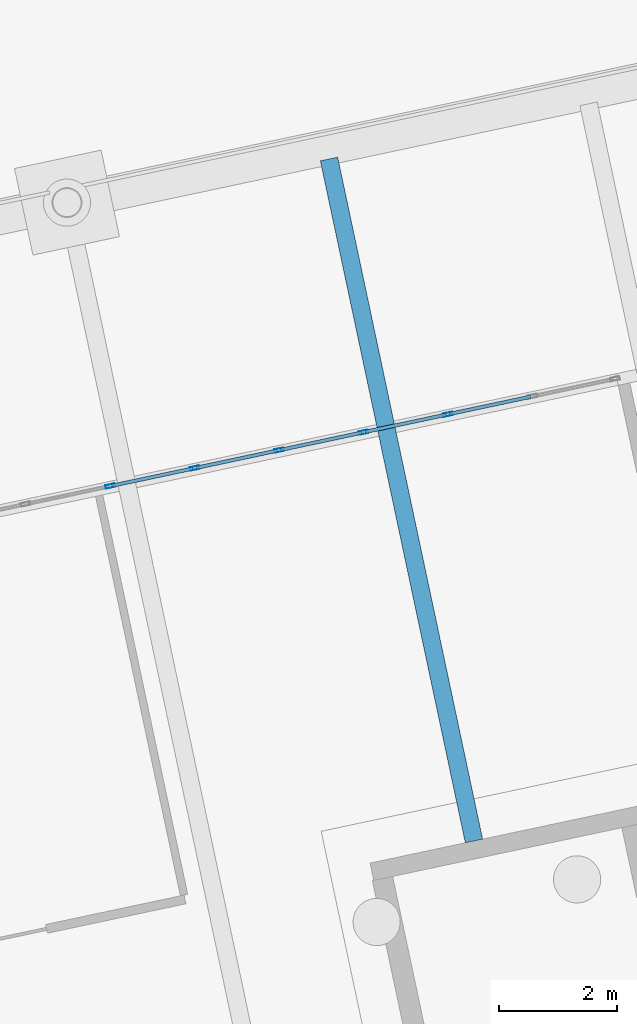
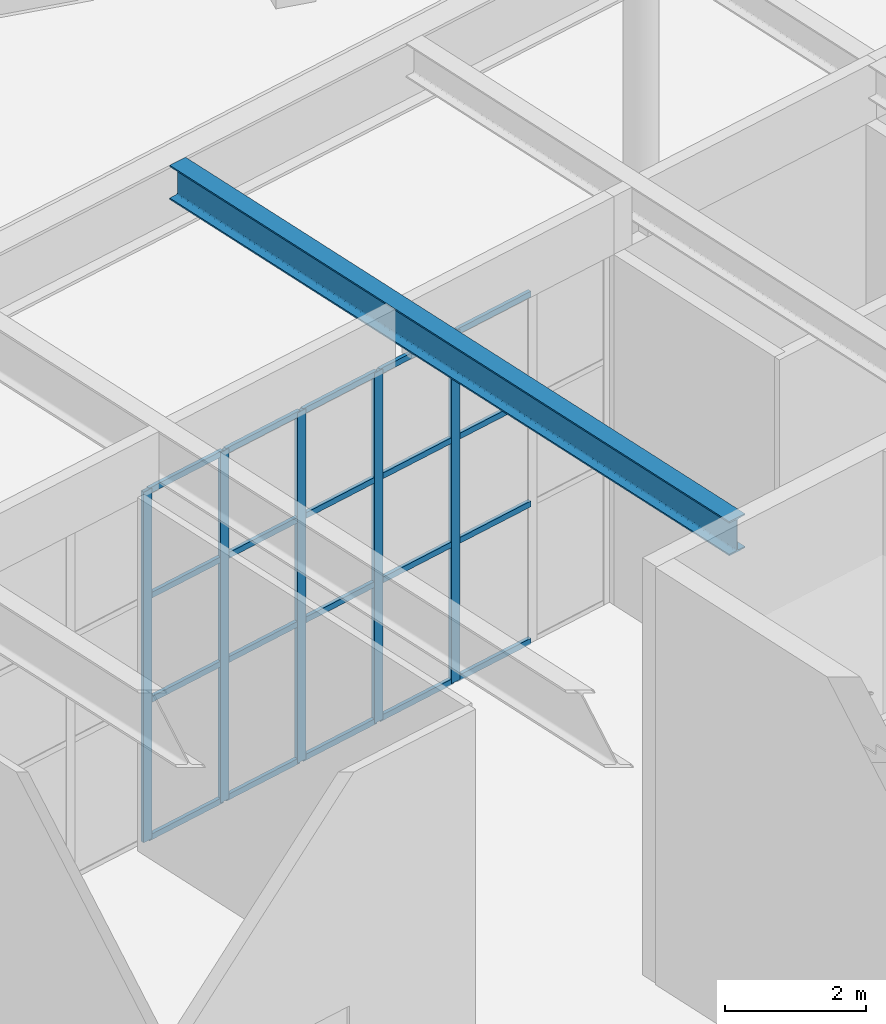
# One storey, part 118 of 239: 25 members, 1 beam, 1 element without a shape of its own.
"""IFC4 building model written with IfcOpenShell, lengths in metres."""

from ifc_helpers import new_model, si_unit, direction, frame, origin, origin_2d, place, context, subcontext, project, spatial, hollow_rectangle, i_section, extrude, material, material_profile, profile_set, type_object, element, aggregate, save


model = new_model("IFC4")

# Units and contexts
model_context = context("Model", 3, precision=1e-05, world=origin(), true_north=direction((0.0, 1.0)))
body_context = subcontext(model_context, "Body", "Model", "MODEL_VIEW")
ifc_project = project(units=[si_unit("LENGTHUNIT", "METRE"), si_unit("AREAUNIT", "SQUARE_METRE"), si_unit("VOLUMEUNIT", "CUBIC_METRE"), si_unit("PLANEANGLEUNIT", "RADIAN"), si_unit("MASSUNIT", "GRAM", prefix="KILO")], contexts=[model_context])

# Site, building, storey
site_placement = place(None, origin())
site = spatial("IfcSite", under=ifc_project, at=site_placement, CompositionType="ELEMENT")
building_placement = place(site_placement, origin())
building = spatial("IfcBuilding", under=site, at=building_placement, Name="Okhra Congress Centre", CompositionType="ELEMENT")
storey_placement = place(building_placement, origin())
storey = spatial("IfcBuildingStorey", under=building, at=storey_placement, Name="L00", CompositionType="ELEMENT", Elevation=0.0)

# Curtain wall, members
ifc_material_1 = material(Name="Aluminium curtain wall, triple glazing", Category="aluminium")
curtain_wall_type = type_object("IfcCurtainWallType", Name="Curtain wall 1500 module", PredefinedType="NOTDEFINED", material=ifc_material_1)
curtain_wall_placement = place(storey_placement, origin())
curtain_wall = element("IfcCurtainWall", 1, at=curtain_wall_placement, inside=storey, type_object=curtain_wall_type, Name="Ground curtain wall N10", PredefinedType="NOTDEFINED")
ifc_material_2 = material(Name="Aluminium alloy EN AW-6063 T66", Category="aluminium")
ifc_material_profile_1 = material_profile(ifc_material_2, hollow_rectangle(XDim=0.06005859375, YDim=0.159912109375, WallThickness=0.00390625, at=origin_2d()), Name="RHS 60x160x4")
ifc_profile_set_1 = profile_set([ifc_material_profile_1], Name="Aluminium alloy EN AW-6063 T66")
member_type_1 = type_object("IfcMemberType", Name="Curtain wall mullion 60x160", PredefinedType="MULLION", material=ifc_profile_set_1)
member_1_placement = place(storey_placement, frame((193.204345703125, 74.48046875, 0.0), z_axis=(0.0, 0.0, 1.0), x_axis=(-0.207911690818, 0.978147600734, 0.0)))
member_1 = element("IfcMember", 2, at=member_1_placement, type_object=member_type_1, Name="CW7 mullion 10", PredefinedType="MULLION", context=body_context, shape_type="SweptSolid", body=[
    extrude(hollow_rectangle(XDim=0.06005859375, YDim=0.159912109375, WallThickness=0.00390625, at=origin_2d()), origin(), (0.0, 0.0, 1.0), 6.050048828125),
])
member_2_placement = place(storey_placement, frame((194.63623046875, 74.784912109375, 0.0), z_axis=(0.0, 0.0, 1.0), x_axis=(-0.207911690818, 0.978147600734, 0.0)))
member_2 = element("IfcMember", 3, at=member_2_placement, type_object=member_type_1, Name="CW7 mullion 11", PredefinedType="MULLION", context=body_context, shape_type="SweptSolid", body=[
    extrude(hollow_rectangle(XDim=0.06005859375, YDim=0.159912109375, WallThickness=0.00390625, at=origin_2d()), origin(), (0.0, 0.0, 1.0), 6.050048828125),
])
member_3_placement = place(storey_placement, frame((196.068359375, 75.08935546875, 0.0), z_axis=(0.0, 0.0, 1.0), x_axis=(-0.207911690818, 0.978147600734, 0.0)))
member_3 = element("IfcMember", 4, at=member_3_placement, type_object=member_type_1, Name="CW7 mullion 12", PredefinedType="MULLION", context=body_context, shape_type="SweptSolid", body=[
    extrude(hollow_rectangle(XDim=0.06005859375, YDim=0.159912109375, WallThickness=0.00390625, at=origin_2d()), origin(), (0.0, 0.0, 1.0), 6.050048828125),
])
member_4_placement = place(storey_placement, frame((197.500244140625, 75.3935546875, 0.0), z_axis=(0.0, 0.0, 1.0), x_axis=(-0.207911690818, 0.978147600734, 0.0)))
member_4 = element("IfcMember", 5, at=member_4_placement, type_object=member_type_1, Name="CW7 mullion 13", PredefinedType="MULLION", context=body_context, shape_type="SweptSolid", body=[
    extrude(hollow_rectangle(XDim=0.06005859375, YDim=0.159912109375, WallThickness=0.00390625, at=origin_2d()), origin(), (0.0, 0.0, 1.0), 6.050048828125),
])
member_5_placement = place(storey_placement, frame((198.932373046875, 75.697998046875, 0.0), z_axis=(0.0, 0.0, 1.0), x_axis=(-0.207911690818, 0.978147600734, 0.0)))
member_5 = element("IfcMember", 6, at=member_5_placement, type_object=member_type_1, Name="CW7 mullion 14", PredefinedType="MULLION", context=body_context, shape_type="SweptSolid", body=[
    extrude(hollow_rectangle(XDim=0.06005859375, YDim=0.159912109375, WallThickness=0.00390625, at=origin_2d()), origin(), (0.0, 0.0, 1.0), 6.050048828125),
])
ifc_material_profile_2 = material_profile(ifc_material_2, hollow_rectangle(XDim=0.06005859375, YDim=0.10009765625, WallThickness=0.00390625, at=origin_2d()), Name="RHS 60x100x4")
ifc_profile_set_2 = profile_set([ifc_material_profile_2], Name="Aluminium alloy EN AW-6063 T66")
member_type_2 = type_object("IfcMemberType", Name="Curtain wall transom 60x100", PredefinedType="USERDEFINED", material=ifc_profile_set_2)
member_6_placement = place(storey_placement, frame((193.233642578125, 74.48681640625, 0.030029296875), z_axis=(0.978169898448, 0.207806760648, 0.0), x_axis=(-0.207806760648, 0.978169898448, 0.0)))
member_6 = element("IfcMember", 7, at=member_6_placement, type_object=member_type_2, Name="CW7 transom 10.1", ObjectType="TRANSOM", PredefinedType="USERDEFINED", context=body_context, shape_type="SweptSolid", body=[
    extrude(hollow_rectangle(XDim=0.06005859375, YDim=0.10009765625, WallThickness=0.00390625, at=origin_2d()), origin(), (0.0, 0.0, 1.0), 1.404052734375),
])
member_7_placement = place(storey_placement, frame((193.233642578125, 74.48681640625, 2.39990234375), z_axis=(0.978169898448, 0.207806760648, 0.0), x_axis=(-0.207806760648, 0.978169898448, 0.0)))
member_7 = element("IfcMember", 8, at=member_7_placement, type_object=member_type_2, Name="CW7 transom 10.2", ObjectType="TRANSOM", PredefinedType="USERDEFINED", context=body_context, shape_type="SweptSolid", body=[
    extrude(hollow_rectangle(XDim=0.06005859375, YDim=0.10009765625, WallThickness=0.00390625, at=origin_2d()), origin(), (0.0, 0.0, 1.0), 1.404052734375),
])
member_8_placement = place(storey_placement, frame((193.233642578125, 74.48681640625, 4.199951171875), z_axis=(0.978169898448, 0.207806760648, 0.0), x_axis=(-0.207806760648, 0.978169898448, 0.0)))
member_8 = element("IfcMember", 9, at=member_8_placement, type_object=member_type_2, Name="CW7 transom 10.3", ObjectType="TRANSOM", PredefinedType="USERDEFINED", context=body_context, shape_type="SweptSolid", body=[
    extrude(hollow_rectangle(XDim=0.06005859375, YDim=0.10009765625, WallThickness=0.00390625, at=origin_2d()), origin(), (0.0, 0.0, 1.0), 1.404052734375),
])
member_9_placement = place(storey_placement, frame((193.233642578125, 74.48681640625, 6.02001953125), z_axis=(0.978169898448, 0.207806760648, 0.0), x_axis=(-0.207806760648, 0.978169898448, 0.0)))
member_9 = element("IfcMember", 10, at=member_9_placement, type_object=member_type_2, Name="CW7 transom 10.4", ObjectType="TRANSOM", PredefinedType="USERDEFINED", context=body_context, shape_type="SweptSolid", body=[
    extrude(hollow_rectangle(XDim=0.06005859375, YDim=0.10009765625, WallThickness=0.00390625, at=origin_2d()), origin(), (0.0, 0.0, 1.0), 1.404052734375),
])
member_10_placement = place(storey_placement, frame((194.665771484375, 74.791015625, 0.030029296875), z_axis=(0.978134537503, 0.207973138996, 0.0), x_axis=(-0.207973138996, 0.978134537503, 0.0)))
member_10 = element("IfcMember", 11, at=member_10_placement, type_object=member_type_2, Name="CW7 transom 11.1", ObjectType="TRANSOM", PredefinedType="USERDEFINED", context=body_context, shape_type="SweptSolid", body=[
    extrude(hollow_rectangle(XDim=0.06005859375, YDim=0.10009765625, WallThickness=0.00390625, at=origin_2d()), origin(), (0.0, 0.0, 1.0), 1.404052734375),
])
member_11_placement = place(storey_placement, frame((194.665771484375, 74.791015625, 2.39990234375), z_axis=(0.978134537503, 0.207973138996, 0.0), x_axis=(-0.207973138996, 0.978134537503, 0.0)))
member_11 = element("IfcMember", 12, at=member_11_placement, type_object=member_type_2, Name="CW7 transom 11.2", ObjectType="TRANSOM", PredefinedType="USERDEFINED", context=body_context, shape_type="SweptSolid", body=[
    extrude(hollow_rectangle(XDim=0.06005859375, YDim=0.10009765625, WallThickness=0.00390625, at=origin_2d()), origin(), (0.0, 0.0, 1.0), 1.404052734375),
])
member_12_placement = place(storey_placement, frame((194.665771484375, 74.791015625, 4.199951171875), z_axis=(0.978134537503, 0.207973138996, 0.0), x_axis=(-0.207973138996, 0.978134537503, 0.0)))
member_12 = element("IfcMember", 13, at=member_12_placement, type_object=member_type_2, Name="CW7 transom 11.3", ObjectType="TRANSOM", PredefinedType="USERDEFINED", context=body_context, shape_type="SweptSolid", body=[
    extrude(hollow_rectangle(XDim=0.06005859375, YDim=0.10009765625, WallThickness=0.00390625, at=origin_2d()), origin(), (0.0, 0.0, 1.0), 1.404052734375),
])
member_13_placement = place(storey_placement, frame((194.665771484375, 74.791015625, 6.02001953125), z_axis=(0.978134537503, 0.207973138996, 0.0), x_axis=(-0.207973138996, 0.978134537503, 0.0)))
member_13 = element("IfcMember", 14, at=member_13_placement, type_object=member_type_2, Name="CW7 transom 11.4", ObjectType="TRANSOM", PredefinedType="USERDEFINED", context=body_context, shape_type="SweptSolid", body=[
    extrude(hollow_rectangle(XDim=0.06005859375, YDim=0.10009765625, WallThickness=0.00390625, at=origin_2d()), origin(), (0.0, 0.0, 1.0), 1.404052734375),
])
member_14_placement = place(storey_placement, frame((196.09765625, 75.095458984375, 0.030029296875), z_axis=(0.978134537503, 0.207973138996, 0.0), x_axis=(-0.207973138996, 0.978134537503, 0.0)))
member_14 = element("IfcMember", 15, at=member_14_placement, type_object=member_type_2, Name="CW7 transom 12.1", ObjectType="TRANSOM", PredefinedType="USERDEFINED", context=body_context, shape_type="SweptSolid", body=[
    extrude(hollow_rectangle(XDim=0.06005859375, YDim=0.10009765625, WallThickness=0.00390625, at=origin_2d()), origin(), (0.0, 0.0, 1.0), 1.404052734375),
])
member_15_placement = place(storey_placement, frame((196.09765625, 75.095458984375, 2.39990234375), z_axis=(0.978134537503, 0.207973138996, 0.0), x_axis=(-0.207973138996, 0.978134537503, 0.0)))
member_15 = element("IfcMember", 16, at=member_15_placement, type_object=member_type_2, Name="CW7 transom 12.2", ObjectType="TRANSOM", PredefinedType="USERDEFINED", context=body_context, shape_type="SweptSolid", body=[
    extrude(hollow_rectangle(XDim=0.06005859375, YDim=0.10009765625, WallThickness=0.00390625, at=origin_2d()), origin(), (0.0, 0.0, 1.0), 1.404052734375),
])
member_16_placement = place(storey_placement, frame((196.09765625, 75.095458984375, 4.199951171875), z_axis=(0.978134537503, 0.207973138996, 0.0), x_axis=(-0.207973138996, 0.978134537503, 0.0)))
member_16 = element("IfcMember", 17, at=member_16_placement, type_object=member_type_2, Name="CW7 transom 12.3", ObjectType="TRANSOM", PredefinedType="USERDEFINED", context=body_context, shape_type="SweptSolid", body=[
    extrude(hollow_rectangle(XDim=0.06005859375, YDim=0.10009765625, WallThickness=0.00390625, at=origin_2d()), origin(), (0.0, 0.0, 1.0), 1.404052734375),
])
member_17_placement = place(storey_placement, frame((196.09765625, 75.095458984375, 6.02001953125), z_axis=(0.978134537503, 0.207973138996, 0.0), x_axis=(-0.207973138996, 0.978134537503, 0.0)))
member_17 = element("IfcMember", 18, at=member_17_placement, type_object=member_type_2, Name="CW7 transom 12.4", ObjectType="TRANSOM", PredefinedType="USERDEFINED", context=body_context, shape_type="SweptSolid", body=[
    extrude(hollow_rectangle(XDim=0.06005859375, YDim=0.10009765625, WallThickness=0.00390625, at=origin_2d()), origin(), (0.0, 0.0, 1.0), 1.404052734375),
])
member_18_placement = place(storey_placement, frame((197.52978515625, 75.39990234375, 0.030029296875), z_axis=(0.978134537503, 0.207973138996, 0.0), x_axis=(-0.207973138996, 0.978134537503, 0.0)))
member_18 = element("IfcMember", 19, at=member_18_placement, type_object=member_type_2, Name="CW7 transom 13.1", ObjectType="TRANSOM", PredefinedType="USERDEFINED", context=body_context, shape_type="SweptSolid", body=[
    extrude(hollow_rectangle(XDim=0.06005859375, YDim=0.10009765625, WallThickness=0.00390625, at=origin_2d()), origin(), (0.0, 0.0, 1.0), 1.404052734375),
])
member_19_placement = place(storey_placement, frame((197.52978515625, 75.39990234375, 2.39990234375), z_axis=(0.978134537503, 0.207973138996, 0.0), x_axis=(-0.207973138996, 0.978134537503, 0.0)))
member_19 = element("IfcMember", 20, at=member_19_placement, type_object=member_type_2, Name="CW7 transom 13.2", ObjectType="TRANSOM", PredefinedType="USERDEFINED", context=body_context, shape_type="SweptSolid", body=[
    extrude(hollow_rectangle(XDim=0.06005859375, YDim=0.10009765625, WallThickness=0.00390625, at=origin_2d()), origin(), (0.0, 0.0, 1.0), 1.404052734375),
])
member_20_placement = place(storey_placement, frame((197.52978515625, 75.39990234375, 4.199951171875), z_axis=(0.978134537503, 0.207973138996, 0.0), x_axis=(-0.207973138996, 0.978134537503, 0.0)))
member_20 = element("IfcMember", 21, at=member_20_placement, type_object=member_type_2, Name="CW7 transom 13.3", ObjectType="TRANSOM", PredefinedType="USERDEFINED", context=body_context, shape_type="SweptSolid", body=[
    extrude(hollow_rectangle(XDim=0.06005859375, YDim=0.10009765625, WallThickness=0.00390625, at=origin_2d()), origin(), (0.0, 0.0, 1.0), 1.404052734375),
])
member_21_placement = place(storey_placement, frame((197.52978515625, 75.39990234375, 6.02001953125), z_axis=(0.978134537503, 0.207973138996, 0.0), x_axis=(-0.207973138996, 0.978134537503, 0.0)))
member_21 = element("IfcMember", 22, at=member_21_placement, type_object=member_type_2, Name="CW7 transom 13.4", ObjectType="TRANSOM", PredefinedType="USERDEFINED", context=body_context, shape_type="SweptSolid", body=[
    extrude(hollow_rectangle(XDim=0.06005859375, YDim=0.10009765625, WallThickness=0.00390625, at=origin_2d()), origin(), (0.0, 0.0, 1.0), 1.404052734375),
])
member_22_placement = place(storey_placement, frame((198.961669921875, 75.704345703125, 0.030029296875), z_axis=(0.978169898448, 0.207806760648, 0.0), x_axis=(-0.207806760648, 0.978169898448, 0.0)))
member_22 = element("IfcMember", 23, at=member_22_placement, type_object=member_type_2, Name="CW7 transom 14.1", ObjectType="TRANSOM", PredefinedType="USERDEFINED", context=body_context, shape_type="SweptSolid", body=[
    extrude(hollow_rectangle(XDim=0.06005859375, YDim=0.10009765625, WallThickness=0.00390625, at=origin_2d()), origin(), (0.0, 0.0, 1.0), 1.404052734375),
])
member_23_placement = place(storey_placement, frame((198.961669921875, 75.704345703125, 2.39990234375), z_axis=(0.978169898448, 0.207806760648, 0.0), x_axis=(-0.207806760648, 0.978169898448, 0.0)))
member_23 = element("IfcMember", 24, at=member_23_placement, type_object=member_type_2, Name="CW7 transom 14.2", ObjectType="TRANSOM", PredefinedType="USERDEFINED", context=body_context, shape_type="SweptSolid", body=[
    extrude(hollow_rectangle(XDim=0.06005859375, YDim=0.10009765625, WallThickness=0.00390625, at=origin_2d()), origin(), (0.0, 0.0, 1.0), 1.404052734375),
])
member_24_placement = place(storey_placement, frame((198.961669921875, 75.704345703125, 4.199951171875), z_axis=(0.978169898448, 0.207806760648, 0.0), x_axis=(-0.207806760648, 0.978169898448, 0.0)))
member_24 = element("IfcMember", 25, at=member_24_placement, type_object=member_type_2, Name="CW7 transom 14.3", ObjectType="TRANSOM", PredefinedType="USERDEFINED", context=body_context, shape_type="SweptSolid", body=[
    extrude(hollow_rectangle(XDim=0.06005859375, YDim=0.10009765625, WallThickness=0.00390625, at=origin_2d()), origin(), (0.0, 0.0, 1.0), 1.404052734375),
])
member_25_placement = place(storey_placement, frame((198.961669921875, 75.704345703125, 6.02001953125), z_axis=(0.978169898448, 0.207806760648, 0.0), x_axis=(-0.207806760648, 0.978169898448, 0.0)))
member_25 = element("IfcMember", 26, at=member_25_placement, type_object=member_type_2, Name="CW7 transom 14.4", ObjectType="TRANSOM", PredefinedType="USERDEFINED", context=body_context, shape_type="SweptSolid", body=[
    extrude(hollow_rectangle(XDim=0.06005859375, YDim=0.10009765625, WallThickness=0.00390625, at=origin_2d()), origin(), (0.0, 0.0, 1.0), 1.404052734375),
])
aggregate(curtain_wall, [member_1, member_2, member_3, member_4, member_5, member_6, member_7, member_8, member_9, member_10, member_11, member_12, member_13, member_14, member_15, member_16, member_17, member_18, member_19, member_20, member_21, member_22, member_23, member_24, member_25])

# Beam
ifc_material_3 = material(Name="Steel S355J2", Category="steel")
ifc_material_profile_3 = material_profile(ifc_material_3, i_section(OverallWidth=0.300048828125, OverallDepth=0.590087890625, WebThickness=0.012939453125, FlangeThickness=0.02490234375, FilletRadius=0.027099609375, at=origin_2d()), Name="HE 600 A")
ifc_profile_set_3 = profile_set([ifc_material_profile_3], Name="Steel S355J2")
beam_type = type_object("IfcBeamType", Name="Floor beam HE 600 A", PredefinedType="BEAM", material=ifc_profile_set_3)
beam_placement = place(storey_placement, frame((199.37451171875, 68.4619140625, 6.7548828125), z_axis=(-0.207910117102, 0.978147935236, 0.0), x_axis=(-0.978147935236, -0.207910117102, 0.0)))
element("IfcBeam", 27, at=beam_placement, inside=storey, type_object=beam_type, Name="Floor beam 32.2", PredefinedType="BEAM", context=body_context, shape_type="SweptSolid", body=[
    extrude(i_section(OverallWidth=0.300048828125, OverallDepth=0.590087890625, WebThickness=0.012939453125, FlangeThickness=0.02490234375, FilletRadius=0.027099609375, at=origin_2d()), origin(), (0.0, 0.0, 1.0), 11.82470703125),
])

save(model, "model.ifc")
